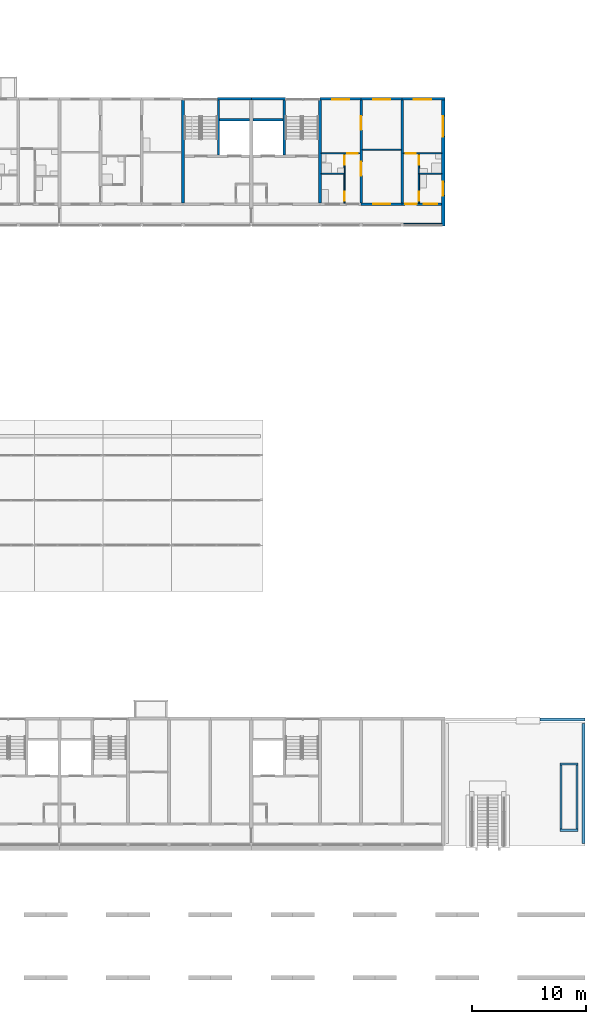
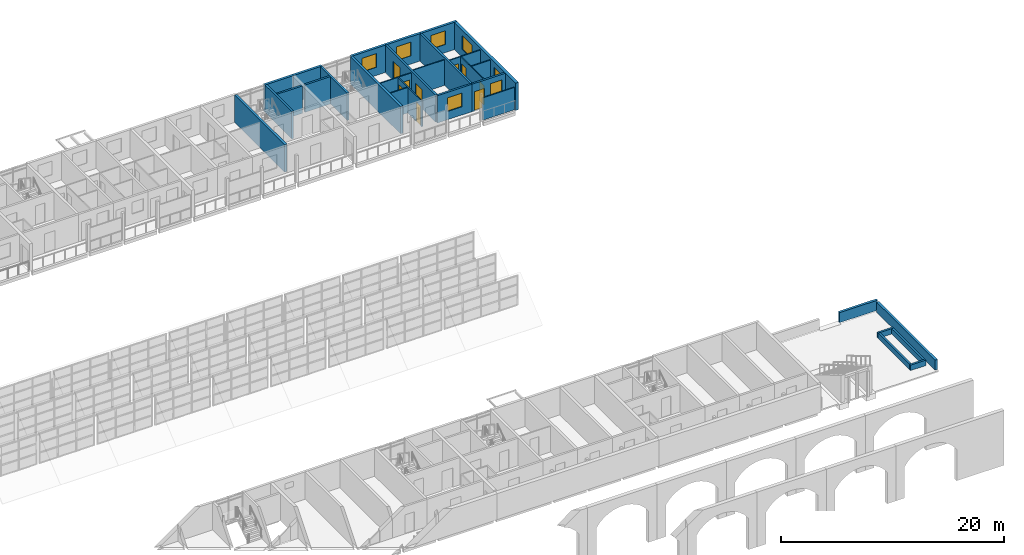
# One storey, part 81 of 122: 30 walls, 9 doors, 7 windows, 16 openings.
"""IFC4 building model written with IfcOpenShell, lengths in metres."""

from ifc_helpers import new_model, si_unit, direction, frame, frame_2d, origin, place, context, subcontext, project, spatial, rectangle, extrude, material, layer, layer_set, type_object, element, fill, save


model = new_model("IFC4")

# Units and contexts
model_context = context("Model", 3, precision=1e-05, world=origin(), true_north=direction((0.0, 1.0)))
body_context = subcontext(model_context, "Body", "Model", "MODEL_VIEW")
ifc_project = project(units=[si_unit("LENGTHUNIT", "METRE"), si_unit("AREAUNIT", "SQUARE_METRE"), si_unit("VOLUMEUNIT", "CUBIC_METRE"), si_unit("PLANEANGLEUNIT", "RADIAN"), si_unit("MASSUNIT", "GRAM", prefix="KILO")], contexts=[model_context])

# Site, building, storey
site_placement = place(None, origin())
site = spatial("IfcSite", under=ifc_project, at=site_placement, CompositionType="ELEMENT")
building_placement = place(site_placement, origin())
building = spatial("IfcBuilding", under=site, at=building_placement, Name="Ridgestep Commons", CompositionType="ELEMENT")
storey_placement = place(building_placement, frame((0.0, 0.0, 3.0)))
storey = spatial("IfcBuildingStorey", under=building, at=storey_placement, Name="L01", CompositionType="ELEMENT", Elevation=3.0)

# Walls
ifc_material_1 = material(Name="Concrete C30/37", Category="concrete")
ifc_layer_1 = layer(ifc_material_1, 0.199951171875)
ifc_layer_set_1 = layer_set([ifc_layer_1], Name="Community planter wall 200")
wall_type_1 = type_object("IfcWallType", Name="Community planter wall 200", PredefinedType="SOLIDWALL", material=ifc_layer_set_1)
for number, where, z_axis, x_axis, name in (
    (1, (257.800048828125, 13.10009765625, 0.0), (0.0, 0.0, 1.0), (1.0, 0.0, 0.0), "Planter wall"),
    (2, (257.800048828125, 18.89990234375, 0.0), (0.0, 0.0, 1.0), (1.0, 0.0, 0.0), "Planter wall"),
):
    element("IfcWall", number, at=place(storey_placement, frame(where, z_axis=z_axis, x_axis=x_axis)), inside=storey, type_object=wall_type_1, Name=name, PredefinedType="SOLIDWALL", context=body_context, shape_type="SweptSolid", body=[
        extrude(rectangle(XDim=1.599853515625, YDim=0.199951171875, at=frame_2d((0.7998046875, 0.0))), origin(), (0.0, 0.0, 1.0), 0.60009765625),
    ])
for number, where, z_axis, x_axis, name in (
    (3, (257.89990234375, 13.199951171875, 0.0), (0.0, 0.0, 1.0), (0.0, 1.0, 0.0), "Planter wall"),
    (4, (259.300048828125, 13.199951171875, 0.0), (0.0, 0.0, 1.0), (0.0, 1.0, 0.0), "Planter wall"),
):
    element("IfcWall", number, at=place(storey_placement, frame(where, z_axis=z_axis, x_axis=x_axis)), inside=storey, type_object=wall_type_1, Name=name, PredefinedType="SOLIDWALL", context=body_context, shape_type="SweptSolid", body=[
        extrude(rectangle(XDim=5.60009765625, YDim=0.199951171875, at=frame_2d((2.800048828125, 0.0))), origin(), (0.0, 0.0, 1.0), 0.60009765625),
    ])
ifc_material_2 = material(Name="Precast concrete C40/50", Category="concrete")
ifc_layer_2 = layer(ifc_material_2, 0.25)
ifc_layer_set_2 = layer_set([ifc_layer_2], Name="Community terrace parapet 250")
wall_type_2 = type_object("IfcWallType", Name="Community terrace parapet 250", PredefinedType="PARAPET", material=ifc_layer_set_2)
wall_1_placement = place(storey_placement, frame((256.050048828125, 22.800048828125, 0.0), z_axis=(0.0, 0.0, 1.0), x_axis=(1.0, 0.0, 0.0)))
element("IfcWall", 5, at=wall_1_placement, inside=storey, type_object=wall_type_2, Name="Terrace parapet", PredefinedType="PARAPET", context=body_context, shape_type="SweptSolid", body=[
    extrude(rectangle(XDim=3.93994140625, YDim=0.25, at=frame_2d((1.969970703125, 0.0))), origin(), (0.0, 0.0, 1.0), 1.10009765625),
])
wall_2_placement = place(storey_placement, frame((259.873046875, 11.949951171875, 0.0), z_axis=(0.0, 0.0, 1.0), x_axis=(0.0, 1.0, 0.0)))
element("IfcWall", 6, at=wall_2_placement, inside=storey, type_object=wall_type_2, Name="Terrace parapet", PredefinedType="PARAPET", context=body_context, shape_type="SweptSolid", body=[
    extrude(rectangle(XDim=10.5, YDim=0.25, at=frame_2d((5.25, 0.0))), origin(), (0.0, 0.0, 1.0), 1.10009765625),
])
ifc_material_3 = material(Name="Concrete C30/37", Category="concrete")
ifc_layer_3 = layer(ifc_material_3, 0.25)
ifc_layer_set_3 = layer_set([ifc_layer_3], Name="Core cross wall 250")
wall_type_3 = type_object("IfcWallType", Name="Core cross wall 250", PredefinedType="SHEAR", material=ifc_layer_set_3)
for number, where, z_axis, x_axis, name in (
    (7, (224.800048828125, 68.0, 0.0), (0.0, 0.0, 1.0), (0.0, 1.0, 0.0), "Cross wall C-01-2248"),
    (8, (236.800048828125, 68.0, 0.0), (0.0, 0.0, 1.0), (0.0, 1.0, 0.0), "Cross wall C-01-2368"),
):
    element("IfcWall", number, at=place(storey_placement, frame(where, z_axis=z_axis, x_axis=x_axis)), inside=storey, type_object=wall_type_3, Name=name, PredefinedType="SHEAR", context=body_context, shape_type="SweptSolid", body=[
        extrude(rectangle(XDim=9.0, YDim=0.25, at=frame_2d((4.5, 0.0))), origin(), (0.0, 0.0, 1.0), 3.0),
    ])
ifc_material_4 = material(Name="Concrete C30/37", Category="concrete")
ifc_layer_4 = layer(ifc_material_4, 0.199951171875)
ifc_layer_set_4 = layer_set([ifc_layer_4], Name="Core wall 200")
wall_type_4 = type_object("IfcWallType", Name="Core wall 200", PredefinedType="SHEAR", material=ifc_layer_set_4)
wall_3_placement = place(storey_placement, frame((227.925048828125, 72.199951171875, 0.0), z_axis=(0.0, 0.0, 1.0), x_axis=(0.0, 1.0, 0.0)))
element("IfcWall", 9, at=wall_3_placement, inside=storey, type_object=wall_type_4, Name="Core stair wall C5C L01", PredefinedType="SHEAR", context=body_context, shape_type="SweptSolid", body=[
    extrude(rectangle(XDim=4.800048828125, YDim=0.199951171875, at=frame_2d((2.39990234375, 0.0))), origin(), (0.0, 0.0, 1.0), 3.0),
])
wall_4_placement = place(storey_placement, frame((228.02490234375, 75.300048828125, 0.0), z_axis=(0.0, 0.0, 1.0), x_axis=(1.0, 0.0, 0.0)))
element("IfcWall", 10, at=wall_4_placement, inside=storey, type_object=wall_type_4, Name="Core duct wall C5C L01", PredefinedType="SHEAR", context=body_context, shape_type="SweptSolid", body=[
    extrude(rectangle(XDim=2.625, YDim=0.199951171875, at=frame_2d((1.3125, 0.0))), origin(), (0.0, 0.0, 1.0), 3.0),
])
wall_5_placement = place(storey_placement, frame((233.675048828125, 72.199951171875, 0.0), z_axis=(0.0, 0.0, 1.0), x_axis=(0.0, 1.0, 0.0)))
element("IfcWall", 11, at=wall_5_placement, inside=storey, type_object=wall_type_4, Name="Core stair wall C6C L01", PredefinedType="SHEAR", context=body_context, shape_type="SweptSolid", body=[
    extrude(rectangle(XDim=4.800048828125, YDim=0.199951171875, at=frame_2d((2.39990234375, 0.0))), origin(), (0.0, 0.0, 1.0), 3.0),
])
wall_6_placement = place(storey_placement, frame((230.949951171875, 75.300048828125, 0.0), z_axis=(0.0, 0.0, 1.0), x_axis=(1.0, 0.0, 0.0)))
element("IfcWall", 12, at=wall_6_placement, inside=storey, type_object=wall_type_4, Name="Core duct wall C6C L01", PredefinedType="SHEAR", context=body_context, shape_type="SweptSolid", body=[
    extrude(rectangle(XDim=2.625, YDim=0.199951171875, at=frame_2d((1.3125, 0.0))), origin(), (0.0, 0.0, 1.0), 3.0),
])

# Wall, openings, doors
ifc_material_5 = material(Name="Precast concrete C40/50", Category="concrete")
ifc_layer_5 = layer(ifc_material_5, 0.199951171875)
ifc_layer_set_5 = layer_set([ifc_layer_5], Name="Cross wall 200")
wall_type_5 = type_object("IfcWallType", Name="Cross wall 200", PredefinedType="SHEAR", material=ifc_layer_set_5)
wall_7_placement = place(storey_placement, frame((240.39990234375, 68.0, 0.0), z_axis=(0.0, 0.0, 1.0), x_axis=(0.0, 1.0, 0.0)))
wall_7 = element("IfcWall", 13, at=wall_7_placement, inside=storey, type_object=wall_type_5, Name="Cross wall C-01-2404", PredefinedType="SHEAR", context=body_context, shape_type="SweptSolid", body=[
    extrude(rectangle(XDim=9.0, YDim=0.199951171875, at=frame_2d((4.5, 0.0))), origin(), (0.0, 0.0, 1.0), 3.0),
])
opening_1_placement = place(wall_7_placement, frame((2.39990234375, 0.0, 0.0)))
opening_1 = element("IfcOpeningElement", 14, at=opening_1_placement, cuts=wall_7, Name="Opening C6-01b/5", PredefinedType="OPENING", context=body_context, shape_type="SweptSolid", body=[
    extrude(rectangle(XDim=1.199951171875, YDim=2.10009765625, at=frame_2d((0.60009765625, 1.050048828125))), frame((0.0, 0.10986328125, 0.0), z_axis=(0.0, -1.0, 0.0), x_axis=(1.0, 0.0, 0.0)), (0.0, 0.0, 1.0), 0.219970703125),
])
opening_2_placement = place(wall_7_placement, frame((6.39990234375, 0.0, 0.0)))
opening_2 = element("IfcOpeningElement", 15, at=opening_2_placement, cuts=wall_7, Name="Opening C6-01b/6", PredefinedType="OPENING", context=body_context, shape_type="SweptSolid", body=[
    extrude(rectangle(XDim=1.199951171875, YDim=2.10009765625, at=frame_2d((0.60009765625, 1.050048828125))), frame((0.0, 0.10986328125, 0.0), z_axis=(0.0, -1.0, 0.0), x_axis=(1.0, 0.0, 0.0)), (0.0, 0.0, 1.0), 0.219970703125),
])
ifc_material_6 = material(Name="Timber door leaf", Category="wood")
door_type_1 = type_object("IfcDoorType", Name="Double door 1200 x 2100", OperationType="DOUBLE_DOOR_SINGLE_SWING", PredefinedType="DOOR", material=ifc_material_6)
door_1_placement = place(opening_1_placement, origin())
door_1 = element("IfcDoor", 16, at=door_1_placement, inside=storey, type_object=door_type_1, Name="Double door C6-01b/5", OperationType="DOUBLE_DOOR_SINGLE_SWING", OverallHeight=2.10009765625, OverallWidth=1.199951171875, PredefinedType="DOOR", context=body_context, shape_type="SweptSolid", body=[
    extrude(rectangle(XDim=1.199951171875, YDim=2.10009765625, at=frame_2d((0.60009765625, 1.050048828125))), frame((0.0, 0.02490234375, 0.0), z_axis=(0.0, -1.0, 0.0), x_axis=(1.0, 0.0, 0.0)), (0.0, 0.0, 1.0), 0.050048828125),
])
fill(opening_1, door_1)
door_2_placement = place(opening_2_placement, origin())
door_2 = element("IfcDoor", 17, at=door_2_placement, inside=storey, type_object=door_type_1, Name="Double door C6-01b/6", OperationType="DOUBLE_DOOR_SINGLE_SWING", OverallHeight=2.10009765625, OverallWidth=1.199951171875, PredefinedType="DOOR", context=body_context, shape_type="SweptSolid", body=[
    extrude(rectangle(XDim=1.199951171875, YDim=2.10009765625, at=frame_2d((0.60009765625, 1.050048828125))), frame((0.0, 0.02490234375, 0.0), z_axis=(0.0, -1.0, 0.0), x_axis=(1.0, 0.0, 0.0)), (0.0, 0.0, 1.0), 0.050048828125),
])
fill(opening_2, door_2)

# Wall
wall_8_placement = place(storey_placement, frame((244.0, 68.0, 0.0), z_axis=(0.0, 0.0, 1.0), x_axis=(0.0, 1.0, 0.0)))
element("IfcWall", 18, at=wall_8_placement, inside=storey, type_object=wall_type_5, Name="Cross wall C-01-2440", PredefinedType="SHEAR", context=body_context, shape_type="SweptSolid", body=[
    extrude(rectangle(XDim=9.0, YDim=0.199951171875, at=frame_2d((4.5, 0.0))), origin(), (0.0, 0.0, 1.0), 3.0),
])

# Wall, openings, windows
ifc_material_7 = material(Name="Precast concrete C40/50", Category="concrete")
ifc_layer_6 = layer(ifc_material_7, 0.300048828125)
ifc_layer_set_6 = layer_set([ifc_layer_6], Name="Exposed division wall 300")
wall_type_6 = type_object("IfcWallType", Name="Exposed division wall 300", PredefinedType="SHEAR", material=ifc_layer_set_6)
wall_9_placement = place(storey_placement, frame((247.60009765625, 66.0, 0.0), z_axis=(0.0, 0.0, 1.0), x_axis=(0.0, 1.0, 0.0)))
wall_9 = element("IfcWall", 19, at=wall_9_placement, inside=storey, type_object=wall_type_6, Name="Cross wall C-01-2476", PredefinedType="SHEAR", context=body_context, shape_type="SweptSolid", body=[
    extrude(rectangle(XDim=11.0, YDim=0.300048828125, at=frame_2d((5.5, 0.0))), origin(), (0.0, 0.0, 1.0), 3.0),
])
opening_3_placement = place(wall_9_placement, frame((2.64990234375, 0.0, 0.89990234375)))
opening_3 = element("IfcOpeningElement", 20, at=opening_3_placement, cuts=wall_9, Name="Opening W10", PredefinedType="OPENING", context=body_context, shape_type="SweptSolid", body=[
    extrude(rectangle(XDim=1.199951171875, YDim=1.5, at=frame_2d((0.60009765625, 0.75))), frame((0.0, 0.159912109375, 0.0), z_axis=(0.0, -1.0, 0.0), x_axis=(1.0, 0.0, 0.0)), (0.0, 0.0, 1.0), 0.320068359375),
])
opening_4_placement = place(wall_9_placement, frame((7.804931640625, 0.0, 0.89990234375)))
opening_4 = element("IfcOpeningElement", 21, at=opening_4_placement, cuts=wall_9, Name="Opening W20", PredefinedType="OPENING", context=body_context, shape_type="SweptSolid", body=[
    extrude(rectangle(XDim=1.800048828125, YDim=1.5, at=frame_2d((0.89990234375, 0.75))), frame((0.0, 0.159912109375, 0.0), z_axis=(0.0, -1.0, 0.0), x_axis=(1.0, 0.0, 0.0)), (0.0, 0.0, 1.0), 0.320068359375),
])
ifc_material_8 = material(Name="Aluminium 6063-T6 and glass", Category="aluminium")
window_type_1 = type_object("IfcWindowType", Name="Flat window 1200 x 1500", PartitioningType="SINGLE_PANEL", PredefinedType="WINDOW", material=ifc_material_8)
window_1_placement = place(opening_3_placement, origin())
window_1 = element("IfcWindow", 22, at=window_1_placement, inside=storey, type_object=window_type_1, Name="Window C6-01a 3", OverallHeight=1.5, OverallWidth=1.199951171875, PartitioningType="SINGLE_PANEL", PredefinedType="WINDOW", context=body_context, shape_type="SweptSolid", body=[
    extrude(rectangle(XDim=1.199951171875, YDim=1.5, at=frame_2d((0.60009765625, 0.75))), frame((0.0, 0.06005859375, 0.0), z_axis=(0.0, -1.0, 0.0), x_axis=(1.0, 0.0, 0.0)), (0.0, 0.0, 1.0), 0.06005859375),
])
fill(opening_3, window_1)
ifc_material_9 = material(Name="Aluminium 6063-T6 and glass", Category="aluminium")
window_type_2 = type_object("IfcWindowType", Name="Flat window 1800 x 1500", PartitioningType="DOUBLE_PANEL_VERTICAL", PredefinedType="WINDOW", material=ifc_material_9)
window_2_placement = place(opening_4_placement, origin())
window_2 = element("IfcWindow", 23, at=window_2_placement, inside=storey, type_object=window_type_2, Name="Window C6-01a 4", OverallHeight=1.5, OverallWidth=1.800048828125, PartitioningType="SINGLE_PANEL", PredefinedType="WINDOW", context=body_context, shape_type="SweptSolid", body=[
    extrude(rectangle(XDim=1.800048828125, YDim=1.5, at=frame_2d((0.89990234375, 0.75))), frame((0.0, 0.06005859375, 0.0), z_axis=(0.0, -1.0, 0.0), x_axis=(1.0, 0.0, 0.0)), (0.0, 0.0, 1.0), 0.06005859375),
])
fill(opening_4, window_2)

# Walls
ifc_material_10 = material(Name="Precast concrete C40/50", Category="concrete")
ifc_layer_7 = layer(ifc_material_10, 0.25)
ifc_layer_set_7 = layer_set([ifc_layer_7], Name="North facade panel 250")
wall_type_7 = type_object("IfcWallType", Name="North facade panel 250", PredefinedType="SOLIDWALL", material=ifc_layer_set_7)
wall_10_placement = place(storey_placement, frame((227.824951171875, 77.125, 0.0), z_axis=(0.0, 0.0, 1.0), x_axis=(1.0, 0.0, 0.0)))
element("IfcWall", 24, at=wall_10_placement, inside=storey, type_object=wall_type_7, Name="North panel C5C L01", PredefinedType="SOLIDWALL", context=body_context, shape_type="SweptSolid", body=[
    extrude(rectangle(XDim=2.97509765625, YDim=0.25, at=frame_2d((1.487548828125, 0.0))), origin(), (0.0, 0.0, 1.0), 3.0),
])
wall_11_placement = place(storey_placement, frame((230.800048828125, 77.125, 0.0), z_axis=(0.0, 0.0, 1.0), x_axis=(1.0, 0.0, 0.0)))
element("IfcWall", 25, at=wall_11_placement, inside=storey, type_object=wall_type_7, Name="North panel C6C L01", PredefinedType="SOLIDWALL", context=body_context, shape_type="SweptSolid", body=[
    extrude(rectangle(XDim=2.974853515625, YDim=0.25, at=frame_2d((1.4873046875, 0.0))), origin(), (0.0, 0.0, 1.0), 3.0),
])

# Wall, opening, window
wall_12_placement = place(storey_placement, frame((236.800048828125, 77.125, 0.0), z_axis=(0.0, 0.0, 1.0), x_axis=(1.0, 0.0, 0.0)))
wall_12 = element("IfcWall", 26, at=wall_12_placement, inside=storey, type_object=wall_type_7, Name="North panel C6T3 L01", PredefinedType="SOLIDWALL", context=body_context, shape_type="SweptSolid", body=[
    extrude(rectangle(XDim=3.599853515625, YDim=0.25, at=frame_2d((1.7998046875, 0.0))), origin(), (0.0, 0.0, 1.0), 3.0),
])
opening_5_placement = place(wall_12_placement, frame((1.0625, 0.0, 0.89990234375)))
opening_5 = element("IfcOpeningElement", 27, at=opening_5_placement, cuts=wall_12, Name="Opening W16", PredefinedType="OPENING", context=body_context, shape_type="SweptSolid", body=[
    extrude(rectangle(XDim=1.5, YDim=1.5, at=frame_2d((0.75, 0.75))), frame((0.0, 0.135009765625, 0.0), z_axis=(0.0, -1.0, 0.0), x_axis=(1.0, 0.0, 0.0)), (0.0, 0.0, 1.0), 0.27001953125),
])
ifc_material_11 = material(Name="Aluminium 6063-T6 and glass", Category="aluminium")
window_type_3 = type_object("IfcWindowType", Name="Flat window 1500 x 1500", PartitioningType="DOUBLE_PANEL_VERTICAL", PredefinedType="WINDOW", material=ifc_material_11)
window_3_placement = place(opening_5_placement, origin())
window_3 = element("IfcWindow", 28, at=window_3_placement, inside=storey, type_object=window_type_3, Name="Window C6-01b 4", OverallHeight=1.5, OverallWidth=1.5, PartitioningType="SINGLE_PANEL", PredefinedType="WINDOW", context=body_context, shape_type="SweptSolid", body=[
    extrude(rectangle(XDim=1.5, YDim=1.5, at=frame_2d((0.75, 0.75))), frame((0.0, -0.02490234375, 0.0), z_axis=(0.0, -1.0, 0.0), x_axis=(1.0, 0.0, 0.0)), (0.0, 0.0, 1.0), 0.06005859375),
])
fill(opening_5, window_3)

wall_13_placement = place(storey_placement, frame((240.39990234375, 77.125, 0.0), z_axis=(0.0, 0.0, 1.0), x_axis=(1.0, 0.0, 0.0)))
wall_13 = element("IfcWall", 29, at=wall_13_placement, inside=storey, type_object=wall_type_7, Name="North panel C6T2 L01", PredefinedType="SOLIDWALL", context=body_context, shape_type="SweptSolid", body=[
    extrude(rectangle(XDim=3.60009765625, YDim=0.25, at=frame_2d((1.800048828125, 0.0))), origin(), (0.0, 0.0, 1.0), 3.0),
])
opening_6_placement = place(wall_13_placement, frame((1.050048828125, 0.0, 0.89990234375)))
opening_6 = element("IfcOpeningElement", 30, at=opening_6_placement, cuts=wall_13, Name="Opening W16", PredefinedType="OPENING", context=body_context, shape_type="SweptSolid", body=[
    extrude(rectangle(XDim=1.5, YDim=1.5, at=frame_2d((0.75, 0.75))), frame((0.0, 0.135009765625, 0.0), z_axis=(0.0, -1.0, 0.0), x_axis=(1.0, 0.0, 0.0)), (0.0, 0.0, 1.0), 0.27001953125),
])
window_4_placement = place(opening_6_placement, origin())
window_4 = element("IfcWindow", 31, at=window_4_placement, inside=storey, type_object=window_type_3, Name="Window C6-01b 2", OverallHeight=1.5, OverallWidth=1.5, PartitioningType="SINGLE_PANEL", PredefinedType="WINDOW", context=body_context, shape_type="SweptSolid", body=[
    extrude(rectangle(XDim=1.5, YDim=1.5, at=frame_2d((0.75, 0.75))), frame((0.0, -0.02490234375, 0.0), z_axis=(0.0, -1.0, 0.0), x_axis=(1.0, 0.0, 0.0)), (0.0, 0.0, 1.0), 0.06005859375),
])
fill(opening_6, window_4)

wall_14_placement = place(storey_placement, frame((244.0, 77.125, 0.0), z_axis=(0.0, 0.0, 1.0), x_axis=(1.0, 0.0, 0.0)))
wall_14 = element("IfcWall", 32, at=wall_14_placement, inside=storey, type_object=wall_type_7, Name="North panel C6T1 L01", PredefinedType="SOLIDWALL", context=body_context, shape_type="SweptSolid", body=[
    extrude(rectangle(XDim=3.75, YDim=0.25, at=frame_2d((1.875, 0.0))), origin(), (0.0, 0.0, 1.0), 3.0),
])
opening_7_placement = place(wall_14_placement, frame((1.02490234375, 0.0, 0.89990234375)))
opening_7 = element("IfcOpeningElement", 33, at=opening_7_placement, cuts=wall_14, Name="Opening W16", PredefinedType="OPENING", context=body_context, shape_type="SweptSolid", body=[
    extrude(rectangle(XDim=1.5, YDim=1.5, at=frame_2d((0.75, 0.75))), frame((0.0, 0.135009765625, 0.0), z_axis=(0.0, -1.0, 0.0), x_axis=(1.0, 0.0, 0.0)), (0.0, 0.0, 1.0), 0.27001953125),
])
window_5_placement = place(opening_7_placement, origin())
window_5 = element("IfcWindow", 34, at=window_5_placement, inside=storey, type_object=window_type_3, Name="Window C6-01a 2", OverallHeight=1.5, OverallWidth=1.5, PartitioningType="SINGLE_PANEL", PredefinedType="WINDOW", context=body_context, shape_type="SweptSolid", body=[
    extrude(rectangle(XDim=1.5, YDim=1.5, at=frame_2d((0.75, 0.75))), frame((0.0, -0.02490234375, 0.0), z_axis=(0.0, -1.0, 0.0), x_axis=(1.0, 0.0, 0.0)), (0.0, 0.0, 1.0), 0.06005859375),
])
fill(opening_7, window_5)

# Wall, openings, doors
ifc_material_12 = material(Name="Common brick 110 mm", Category="masonry")
ifc_layer_8 = layer(ifc_material_12, 0.110107421875)
ifc_layer_set_8 = layer_set([ifc_layer_8], Name="Partition 110")
wall_type_8 = type_object("IfcWallType", Name="Partition 110", PredefinedType="PARTITIONING", material=ifc_layer_set_8)
wall_15_placement = place(storey_placement, frame((245.455078125, 68.0, 0.0), z_axis=(0.0, 0.0, 1.0), x_axis=(0.0, 1.0, 0.0)))
wall_15 = element("IfcWall", 35, at=wall_15_placement, inside=storey, type_object=wall_type_8, Name="Partition C6-01a", PredefinedType="PARTITIONING", context=body_context, shape_type="SweptSolid", body=[
    extrude(rectangle(XDim=4.300048828125, YDim=0.110107421875, at=frame_2d((2.14990234375, 0.0))), origin(), (0.0, 0.0, 1.0), 2.800048828125),
])
opening_8_placement = place(wall_15_placement, frame((0.199951171875, 0.0, 0.0)))
opening_8 = element("IfcOpeningElement", 36, at=opening_8_placement, cuts=wall_15, Name="Opening C6-01a/2", PredefinedType="OPENING", context=body_context, shape_type="SweptSolid", body=[
    extrude(rectangle(XDim=0.800048828125, YDim=2.10009765625, at=frame_2d((0.39990234375, 1.050048828125))), frame((0.0, 0.06494140625, 0.0), z_axis=(0.0, -1.0, 0.0), x_axis=(1.0, 0.0, 0.0)), (0.0, 0.0, 1.0), 0.130126953125),
])
opening_9_placement = place(wall_15_placement, frame((3.35009765625, 0.0, 0.0)))
opening_9 = element("IfcOpeningElement", 37, at=opening_9_placement, cuts=wall_15, Name="Opening C6-01a/3", PredefinedType="OPENING", context=body_context, shape_type="SweptSolid", body=[
    extrude(rectangle(XDim=0.800048828125, YDim=2.10009765625, at=frame_2d((0.39990234375, 1.050048828125))), frame((0.0, 0.06494140625, 0.0), z_axis=(0.0, -1.0, 0.0), x_axis=(1.0, 0.0, 0.0)), (0.0, 0.0, 1.0), 0.130126953125),
])
ifc_material_13 = material(Name="Timber door leaf", Category="wood")
door_type_2 = type_object("IfcDoorType", Name="Internal door 800 x 2100", OperationType="NOTDEFINED", PredefinedType="DOOR", material=ifc_material_13)
door_3_placement = place(opening_8_placement, origin())
door_3 = element("IfcDoor", 38, at=door_3_placement, inside=storey, type_object=door_type_2, Name="Internal door C6-01a/2", OperationType="SINGLE_SWING_RIGHT", OverallHeight=2.10009765625, OverallWidth=0.800048828125, PredefinedType="DOOR", context=body_context, shape_type="SweptSolid", body=[
    extrude(rectangle(XDim=0.800048828125, YDim=2.10009765625, at=frame_2d((0.39990234375, 1.050048828125))), frame((0.0, 0.02490234375, 0.0), z_axis=(0.0, -1.0, 0.0), x_axis=(1.0, 0.0, 0.0)), (0.0, 0.0, 1.0), 0.050048828125),
])
fill(opening_8, door_3)
door_4_placement = place(opening_9_placement, origin())
door_4 = element("IfcDoor", 39, at=door_4_placement, inside=storey, type_object=door_type_2, Name="Internal door C6-01a/3", OperationType="SINGLE_SWING_LEFT", OverallHeight=2.10009765625, OverallWidth=0.800048828125, PredefinedType="DOOR", context=body_context, shape_type="SweptSolid", body=[
    extrude(rectangle(XDim=0.800048828125, YDim=2.10009765625, at=frame_2d((0.39990234375, 1.050048828125))), frame((0.0, 0.02490234375, 0.0), z_axis=(0.0, -1.0, 0.0), x_axis=(1.0, 0.0, 0.0)), (0.0, 0.0, 1.0), 0.050048828125),
])
fill(opening_9, door_4)

# Wall
wall_16_placement = place(storey_placement, frame((245.510009765625, 70.554931640625, 0.0), z_axis=(0.0, 0.0, 1.0), x_axis=(1.0, 0.0, 0.0)))
element("IfcWall", 40, at=wall_16_placement, inside=storey, type_object=wall_type_8, Name="Partition C6-01a", PredefinedType="PARTITIONING", context=body_context, shape_type="SweptSolid", body=[
    extrude(rectangle(XDim=1.93994140625, YDim=0.110107421875, at=frame_2d((0.969970703125, 0.0))), origin(), (0.0, 0.0, 1.0), 2.800048828125),
])

# Wall, opening, door
wall_17_placement = place(storey_placement, frame((244.10009765625, 72.35498046875, 0.0), z_axis=(0.0, 0.0, 1.0), x_axis=(1.0, 0.0, 0.0)))
wall_17 = element("IfcWall", 41, at=wall_17_placement, inside=storey, type_object=wall_type_8, Name="Partition C6-01a", PredefinedType="PARTITIONING", context=body_context, shape_type="SweptSolid", body=[
    extrude(rectangle(XDim=3.349853515625, YDim=0.110107421875, at=frame_2d((1.6748046875, 0.0))), origin(), (0.0, 0.0, 1.0), 2.800048828125),
])
opening_10_placement = place(wall_17_placement, frame((0.199951171875, 0.0, 0.0)))
opening_10 = element("IfcOpeningElement", 42, at=opening_10_placement, cuts=wall_17, Name="Opening C6-01a/4", PredefinedType="OPENING", context=body_context, shape_type="SweptSolid", body=[
    extrude(rectangle(XDim=0.89990234375, YDim=2.10009765625, at=frame_2d((0.449951171875, 1.050048828125))), frame((0.0, 0.06494140625, 0.0), z_axis=(0.0, -1.0, 0.0), x_axis=(1.0, 0.0, 0.0)), (0.0, 0.0, 1.0), 0.130126953125),
])
ifc_material_14 = material(Name="Timber door leaf", Category="wood")
door_type_3 = type_object("IfcDoorType", Name="Internal door 900 x 2100", OperationType="NOTDEFINED", PredefinedType="DOOR", material=ifc_material_14)
door_5_placement = place(opening_10_placement, origin())
door_5 = element("IfcDoor", 43, at=door_5_placement, inside=storey, type_object=door_type_3, Name="Internal door C6-01a/4", OperationType="SINGLE_SWING_LEFT", OverallHeight=2.10009765625, OverallWidth=0.89990234375, PredefinedType="DOOR", context=body_context, shape_type="SweptSolid", body=[
    extrude(rectangle(XDim=0.89990234375, YDim=2.10009765625, at=frame_2d((0.449951171875, 1.050048828125))), frame((0.0, 0.02490234375, 0.0), z_axis=(0.0, -1.0, 0.0), x_axis=(1.0, 0.0, 0.0)), (0.0, 0.0, 1.0), 0.050048828125),
])
fill(opening_10, door_5)

# Wall
wall_18_placement = place(storey_placement, frame((236.925048828125, 70.554931640625, 0.0), z_axis=(0.0, 0.0, 1.0), x_axis=(1.0, 0.0, 0.0)))
element("IfcWall", 44, at=wall_18_placement, inside=storey, type_object=wall_type_8, Name="Partition C6-01b", PredefinedType="PARTITIONING", context=body_context, shape_type="SweptSolid", body=[
    extrude(rectangle(XDim=1.96484375, YDim=0.110107421875, at=frame_2d((0.982421875, 0.0))), origin(), (0.0, 0.0, 1.0), 2.800048828125),
])

# Wall, openings, doors
wall_19_placement = place(storey_placement, frame((238.945068359375, 68.0, 0.0), z_axis=(0.0, 0.0, 1.0), x_axis=(0.0, 1.0, 0.0)))
wall_19 = element("IfcWall", 45, at=wall_19_placement, inside=storey, type_object=wall_type_8, Name="Partition C6-01b", PredefinedType="PARTITIONING", context=body_context, shape_type="SweptSolid", body=[
    extrude(rectangle(XDim=4.300048828125, YDim=0.110107421875, at=frame_2d((2.14990234375, 0.0))), origin(), (0.0, 0.0, 1.0), 2.800048828125),
])
opening_11_placement = place(wall_19_placement, frame((0.199951171875, 0.0, 0.0)))
opening_11 = element("IfcOpeningElement", 46, at=opening_11_placement, cuts=wall_19, Name="Opening C6-01b/2", PredefinedType="OPENING", context=body_context, shape_type="SweptSolid", body=[
    extrude(rectangle(XDim=0.800048828125, YDim=2.10009765625, at=frame_2d((0.39990234375, 1.050048828125))), frame((0.0, 0.06494140625, 0.0), z_axis=(0.0, -1.0, 0.0), x_axis=(1.0, 0.0, 0.0)), (0.0, 0.0, 1.0), 0.130126953125),
])
opening_12_placement = place(wall_19_placement, frame((3.35009765625, 0.0, 0.0)))
opening_12 = element("IfcOpeningElement", 47, at=opening_12_placement, cuts=wall_19, Name="Opening C6-01b/3", PredefinedType="OPENING", context=body_context, shape_type="SweptSolid", body=[
    extrude(rectangle(XDim=0.800048828125, YDim=2.10009765625, at=frame_2d((0.39990234375, 1.050048828125))), frame((0.0, 0.06494140625, 0.0), z_axis=(0.0, -1.0, 0.0), x_axis=(1.0, 0.0, 0.0)), (0.0, 0.0, 1.0), 0.130126953125),
])
door_6_placement = place(opening_11_placement, origin())
door_6 = element("IfcDoor", 48, at=door_6_placement, inside=storey, type_object=door_type_2, Name="Internal door C6-01b/2", OperationType="SINGLE_SWING_LEFT", OverallHeight=2.10009765625, OverallWidth=0.800048828125, PredefinedType="DOOR", context=body_context, shape_type="SweptSolid", body=[
    extrude(rectangle(XDim=0.800048828125, YDim=2.10009765625, at=frame_2d((0.39990234375, 1.050048828125))), frame((0.0, 0.02490234375, 0.0), z_axis=(0.0, -1.0, 0.0), x_axis=(1.0, 0.0, 0.0)), (0.0, 0.0, 1.0), 0.050048828125),
])
fill(opening_11, door_6)
door_7_placement = place(opening_12_placement, origin())
door_7 = element("IfcDoor", 49, at=door_7_placement, inside=storey, type_object=door_type_2, Name="Internal door C6-01b/3", OperationType="SINGLE_SWING_RIGHT", OverallHeight=2.10009765625, OverallWidth=0.800048828125, PredefinedType="DOOR", context=body_context, shape_type="SweptSolid", body=[
    extrude(rectangle(XDim=0.800048828125, YDim=2.10009765625, at=frame_2d((0.39990234375, 1.050048828125))), frame((0.0, 0.02490234375, 0.0), z_axis=(0.0, -1.0, 0.0), x_axis=(1.0, 0.0, 0.0)), (0.0, 0.0, 1.0), 0.050048828125),
])
fill(opening_12, door_7)

# Wall, opening, door
wall_20_placement = place(storey_placement, frame((236.925048828125, 72.35498046875, 0.0), z_axis=(0.0, 0.0, 1.0), x_axis=(1.0, 0.0, 0.0)))
wall_20 = element("IfcWall", 50, at=wall_20_placement, inside=storey, type_object=wall_type_8, Name="Partition C6-01b", PredefinedType="PARTITIONING", context=body_context, shape_type="SweptSolid", body=[
    extrude(rectangle(XDim=3.375, YDim=0.110107421875, at=frame_2d((1.6875, 0.0))), origin(), (0.0, 0.0, 1.0), 2.800048828125),
])
opening_13_placement = place(wall_20_placement, frame((2.27490234375, 0.0, 0.0)))
opening_13 = element("IfcOpeningElement", 51, at=opening_13_placement, cuts=wall_20, Name="Opening C6-01b/4", PredefinedType="OPENING", context=body_context, shape_type="SweptSolid", body=[
    extrude(rectangle(XDim=0.89990234375, YDim=2.10009765625, at=frame_2d((0.449951171875, 1.050048828125))), frame((0.0, 0.06494140625, 0.0), z_axis=(0.0, -1.0, 0.0), x_axis=(1.0, 0.0, 0.0)), (0.0, 0.0, 1.0), 0.130126953125),
])
door_8_placement = place(opening_13_placement, origin())
door_8 = element("IfcDoor", 52, at=door_8_placement, inside=storey, type_object=door_type_3, Name="Internal door C6-01b/4", OperationType="SINGLE_SWING_LEFT", OverallHeight=2.10009765625, OverallWidth=0.89990234375, PredefinedType="DOOR", context=body_context, shape_type="SweptSolid", body=[
    extrude(rectangle(XDim=0.89990234375, YDim=2.10009765625, at=frame_2d((0.449951171875, 1.050048828125))), frame((0.0, 0.02490234375, 0.0), z_axis=(0.0, -1.0, 0.0), x_axis=(1.0, 0.0, 0.0)), (0.0, 0.0, 1.0), 0.050048828125),
])
fill(opening_13, door_8)

# Walls
wall_21_placement = place(storey_placement, frame((240.5, 72.655029296875, 0.0), z_axis=(0.0, 0.0, 1.0), x_axis=(1.0, 0.0, 0.0)))
element("IfcWall", 53, at=wall_21_placement, inside=storey, type_object=wall_type_8, Name="Partition C6-01b", PredefinedType="PARTITIONING", context=body_context, shape_type="SweptSolid", body=[
    extrude(rectangle(XDim=3.39990234375, YDim=0.110107421875, at=frame_2d((1.699951171875, 0.0))), origin(), (0.0, 0.0, 1.0), 2.800048828125),
])
ifc_material_15 = material(Name="Precast concrete C30/37", Category="concrete")
ifc_layer_9 = layer(ifc_material_15, 0.10009765625)
ifc_layer_set_9 = layer_set([ifc_layer_9], Name="Perforated gallery screen 3325 x 2450 x 100")
wall_type_9 = type_object("IfcWallType", Name="Perforated gallery screen 3325 x 2450 x 100", PredefinedType="SOLIDWALL", material=ifc_layer_set_9)
wall_22_placement = place(storey_placement, frame((244.125, 66.199951171875, 0.0), z_axis=(0.0, 0.0, 1.0), x_axis=(1.0, 0.0, 0.0)))
element("IfcWall", 54, at=wall_22_placement, inside=storey, type_object=wall_type_9, Name="Gallery screen C6T1 01", PredefinedType="SOLIDWALL", context=body_context, shape_type="SweptSolid", body=[
    extrude(rectangle(XDim=3.324951171875, YDim=0.10009765625, at=frame_2d((1.66259765625, 0.0))), origin(), (0.0, 0.0, 1.0), 2.449951171875),
])

# Wall, opening, window
ifc_material_16 = material(Name="Precast concrete C40/50", Category="concrete")
ifc_layer_10 = layer(ifc_material_16, 0.199951171875)
ifc_layer_set_10 = layer_set([ifc_layer_10], Name="South facade panel 200")
wall_type_10 = type_object("IfcWallType", Name="South facade panel 200", PredefinedType="SOLIDWALL", material=ifc_layer_set_10)
wall_23_placement = place(storey_placement, frame((240.39990234375, 67.89990234375, 0.0), z_axis=(0.0, 0.0, 1.0), x_axis=(1.0, 0.0, 0.0)))
wall_23 = element("IfcWall", 55, at=wall_23_placement, inside=storey, type_object=wall_type_10, Name="South panel C6T2 L01", PredefinedType="SOLIDWALL", context=body_context, shape_type="SweptSolid", body=[
    extrude(rectangle(XDim=3.60009765625, YDim=0.199951171875, at=frame_2d((1.800048828125, 0.0))), origin(), (0.0, 0.0, 1.0), 3.0),
])
opening_14_placement = place(wall_23_placement, frame((1.050048828125, 0.0, 0.89990234375)))
opening_14 = element("IfcOpeningElement", 56, at=opening_14_placement, cuts=wall_23, Name="Opening W16", PredefinedType="OPENING", context=body_context, shape_type="SweptSolid", body=[
    extrude(rectangle(XDim=1.5, YDim=1.5, at=frame_2d((0.75, 0.75))), frame((0.0, 0.10986328125, 0.0), z_axis=(0.0, -1.0, 0.0), x_axis=(1.0, 0.0, 0.0)), (0.0, 0.0, 1.0), 0.219970703125),
])
window_6_placement = place(opening_14_placement, origin())
window_6 = element("IfcWindow", 57, at=window_6_placement, inside=storey, type_object=window_type_3, Name="Window C6-01b 1", OverallHeight=1.5, OverallWidth=1.5, PartitioningType="SINGLE_PANEL", PredefinedType="WINDOW", context=body_context, shape_type="SweptSolid", body=[
    extrude(rectangle(XDim=1.5, YDim=1.5, at=frame_2d((0.75, 0.75))), frame((0.0, 0.06005859375, 0.0), z_axis=(0.0, -1.0, 0.0), x_axis=(1.0, 0.0, 0.0)), (0.0, 0.0, 1.0), 0.06005859375),
])
fill(opening_14, window_6)

# Wall, openings, door, window
wall_24_placement = place(storey_placement, frame((244.0, 67.89990234375, 0.0), z_axis=(0.0, 0.0, 1.0), x_axis=(1.0, 0.0, 0.0)))
wall_24 = element("IfcWall", 58, at=wall_24_placement, inside=storey, type_object=wall_type_10, Name="South panel C6T1 L01", PredefinedType="SOLIDWALL", context=body_context, shape_type="SweptSolid", body=[
    extrude(rectangle(XDim=3.449951171875, YDim=0.199951171875, at=frame_2d((1.72509765625, 0.0))), origin(), (0.0, 0.0, 1.0), 3.0),
])
opening_15_placement = place(wall_24_placement, frame((1.8798828125, 0.0, 1.10009765625)))
opening_15 = element("IfcOpeningElement", 59, at=opening_15_placement, cuts=wall_24, Name="Opening W08", PredefinedType="OPENING", context=body_context, shape_type="SweptSolid", body=[
    extrude(rectangle(XDim=1.199951171875, YDim=1.300048828125, at=frame_2d((0.60009765625, 0.64990234375))), frame((0.0, 0.10986328125, 0.0), z_axis=(0.0, -1.0, 0.0), x_axis=(1.0, 0.0, 0.0)), (0.0, 0.0, 1.0), 0.219970703125),
])
opening_16_placement = place(wall_24_placement, frame((0.25, 0.0, 0.0)))
opening_16 = element("IfcOpeningElement", 60, at=opening_16_placement, cuts=wall_24, Name="Opening C6-01a/1", PredefinedType="OPENING", context=body_context, shape_type="SweptSolid", body=[
    extrude(rectangle(XDim=1.0, YDim=2.10009765625, at=frame_2d((0.5, 1.050048828125))), frame((0.0, 0.10986328125, 0.0), z_axis=(0.0, -1.0, 0.0), x_axis=(1.0, 0.0, 0.0)), (0.0, 0.0, 1.0), 0.219970703125),
])
ifc_material_17 = material(Name="Timber door leaf", Category="wood")
door_type_4 = type_object("IfcDoorType", Name="Flat entrance door 1000 x 2100 FD30S", OperationType="NOTDEFINED", PredefinedType="DOOR", material=ifc_material_17)
door_9_placement = place(opening_16_placement, origin())
door_9 = element("IfcDoor", 61, at=door_9_placement, inside=storey, type_object=door_type_4, Name="Flat entrance door C6-01a/1", OperationType="SINGLE_SWING_LEFT", OverallHeight=2.10009765625, OverallWidth=1.0, PredefinedType="DOOR", context=body_context, shape_type="SweptSolid", body=[
    extrude(rectangle(XDim=1.0, YDim=2.10009765625, at=frame_2d((0.5, 1.050048828125))), frame((0.0, 0.02490234375, 0.0), z_axis=(0.0, -1.0, 0.0), x_axis=(1.0, 0.0, 0.0)), (0.0, 0.0, 1.0), 0.050048828125),
])
fill(opening_16, door_9)
ifc_material_18 = material(Name="Aluminium 6063-T6 and glass", Category="aluminium")
window_type_4 = type_object("IfcWindowType", Name="Flat window 1200 x 1300", PartitioningType="SINGLE_PANEL", PredefinedType="WINDOW", material=ifc_material_18)
window_7_placement = place(opening_15_placement, origin())
window_7 = element("IfcWindow", 62, at=window_7_placement, inside=storey, type_object=window_type_4, Name="Window C6-01a 1", OverallHeight=1.300048828125, OverallWidth=1.199951171875, PartitioningType="SINGLE_PANEL", PredefinedType="WINDOW", context=body_context, shape_type="SweptSolid", body=[
    extrude(rectangle(XDim=1.199951171875, YDim=1.300048828125, at=frame_2d((0.60009765625, 0.64990234375))), frame((0.0, 0.06005859375, 0.0), z_axis=(0.0, -1.0, 0.0), x_axis=(1.0, 0.0, 0.0)), (0.0, 0.0, 1.0), 0.06005859375),
])
fill(opening_15, window_7)

save(model, "model.ifc")
